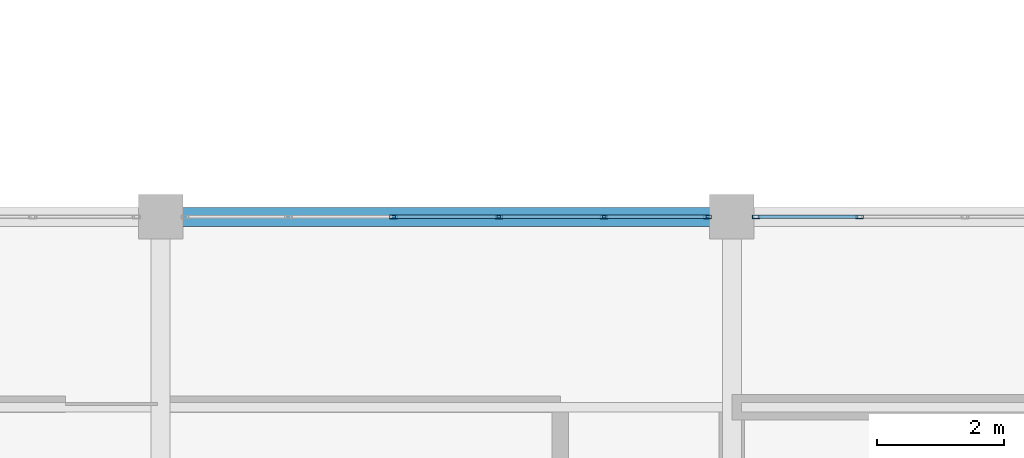
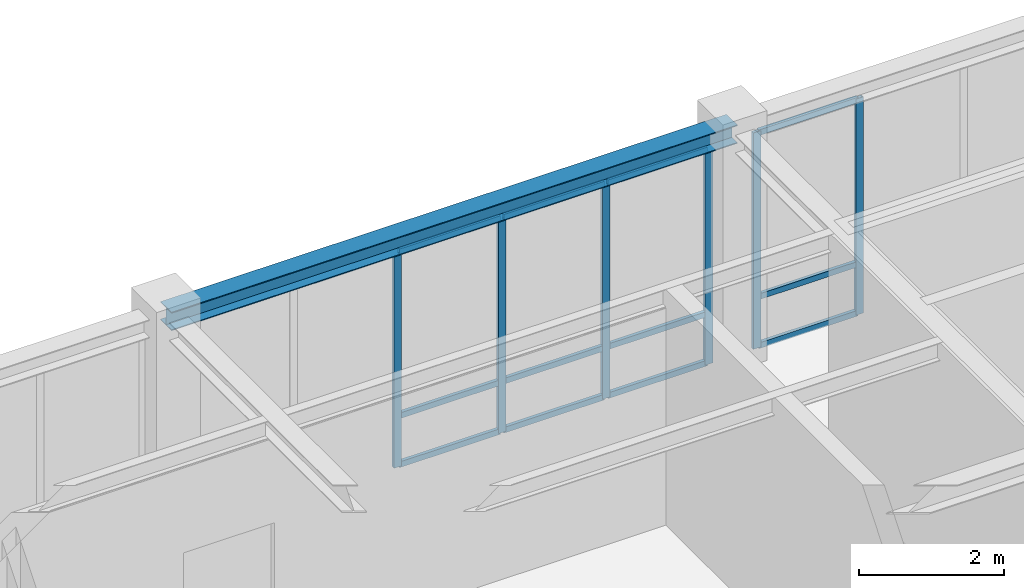
# One storey, part 55 of 108: 18 members, 1 beam, 2 elements without a shape of their own.
"""IFC4 building model written with IfcOpenShell, lengths in metres."""

import ifcopenshell
import ifcopenshell.guid

model = None  # the IFC model being written
_history = None  # IfcOwnerHistory: only IFC2X3 demands one
_inside = {}  # id of a spatial element -> (the spatial element, [elements in it])
_under = {}  # id of a project, library or spatial element -> (it, [spatial elements below it])
_declared = {}  # id of a project -> (the project, [libraries it declares])
_typed = {}  # id of a type object -> (the type object, [elements of that type])
_made_of = {}  # id of a material, layer set ... -> (it, [elements and type objects made of it])


def new_model(schema):
    """Start an empty IFC model of exactly this schema.

    Asked for "IFC4X3", IfcOpenShell would pick the latest addendum, in which some entities
    have other attributes; the version numbers below select the first issue.
    IFC2X3 requires an IfcOwnerHistory on every rooted entity: one is made here for all.
    """
    global model, _history
    if schema == "IFC4X3":
        model = ifcopenshell.file(schema_version=(4, 3, 0, 0))
    else:
        model = ifcopenshell.file(schema=schema)
    _inside.clear()
    _under.clear()
    _declared.clear()
    _typed.clear()
    _made_of.clear()
    _history = None
    if model.schema == "IFC2X3":
        org = make("IfcOrganization", Name="unknown")
        user = make(
            "IfcPersonAndOrganization",
            ThePerson=make("IfcPerson", FamilyName="unknown"),
            TheOrganization=org,
        )
        app = make(
            "IfcApplication",
            ApplicationDeveloper=org,
            Version="unknown",
            ApplicationFullName="unknown",
            ApplicationIdentifier="unknown",
        )
        _history = make(
            "IfcOwnerHistory",
            OwningUser=user,
            OwningApplication=app,
            ChangeAction="ADDED",
            CreationDate=0,
        )
    return model


def make(cls, **values):
    """One entity of the class cls with the attributes given. An attribute that is None is left unset."""
    return model.create_entity(
        cls, **{name: value for name, value in values.items() if value is not None}
    )


def rooted(cls, **values):
    """An entity with a GlobalId (a new one), such as an element, a storey or a relation."""
    return make(cls, GlobalId=ifcopenshell.guid.new(), OwnerHistory=_history, **values)


def si_unit(unit_type, name, prefix=None):
    """IfcSIUnit, for example si_unit("LENGTHUNIT", "METRE", prefix="MILLI")."""
    return make("IfcSIUnit", UnitType=unit_type, Prefix=prefix, Name=name)


def assignment(units):
    """IfcUnitAssignment: the units of a project."""
    return None if units is None else make("IfcUnitAssignment", Units=units)


def point(xyz):
    """IfcCartesianPoint."""
    return None if xyz is None else make("IfcCartesianPoint", Coordinates=xyz)


def direction(xyz):
    """IfcDirection."""
    return None if xyz is None else make("IfcDirection", DirectionRatios=xyz)


def frame(location, z_axis=None, x_axis=None):
    """IfcAxis2Placement3D, a coordinate frame: its origin and axes. An axis left out is left unset."""
    return make(
        "IfcAxis2Placement3D",
        Location=point(location),
        Axis=direction(z_axis),
        RefDirection=direction(x_axis),
    )


def frame_2d(location, x_axis=None):
    """IfcAxis2Placement2D, a coordinate frame in the plane: its origin and x axis."""
    return make(
        "IfcAxis2Placement2D", Location=point(location), RefDirection=direction(x_axis)
    )


def origin():
    """The frame at (0, 0, 0) with its axes left unset."""
    return frame((0.0, 0.0, 0.0))


def origin_2d():
    """The frame at (0, 0) in the plane with its x axis left unset."""
    return frame_2d((0.0, 0.0))


def place(relative_to, where):
    """IfcLocalPlacement: puts the frame where relative to a parent placement (None: the world)."""
    return make(
        "IfcLocalPlacement", PlacementRelTo=relative_to, RelativePlacement=where
    )


def context(
    kind, dimensions, precision=None, world=None, true_north=None, identifier=None
):
    """IfcGeometricRepresentationContext, for example the 3D "Model" context."""
    return make(
        "IfcGeometricRepresentationContext",
        ContextIdentifier=identifier,
        ContextType=kind,
        CoordinateSpaceDimension=dimensions,
        Precision=precision,
        WorldCoordinateSystem=world,
        TrueNorth=true_north,
    )


def subcontext(parent, identifier, kind, view, scale=None):
    """IfcGeometricRepresentationSubContext, for example "Body" below "Model"."""
    return make(
        "IfcGeometricRepresentationSubContext",
        ContextIdentifier=identifier,
        ContextType=kind,
        ParentContext=parent,
        TargetScale=scale,
        TargetView=view,
    )


def project(units=None, contexts=None):
    """IfcProject with its units and contexts."""
    return rooted(
        "IfcProject",
        Name="project",
        RepresentationContexts=contexts,
        UnitsInContext=assignment(units),
    )


def spatial(cls, under=None, at=None, **own):
    """A site, building, storey or space (cls), placed at a placement, below another one or the project."""
    s = rooted(cls, ObjectPlacement=at, **own)
    if under is not None:
        _under.setdefault(under.id(), (under, []))[1].append(s)
    return s


def profile(cls, at=None, kind="AREA", **sizes):
    """A parametric profile (cls). Its sizes go by their IFC names, for example OverallWidth=200.0."""
    return make(cls, ProfileType=kind, Position=at, **sizes)


def hollow_rectangle(**sizes):
    """IfcRectangleHollowProfileDef."""
    return profile("IfcRectangleHollowProfileDef", **sizes)


def i_section(**sizes):
    """IfcIShapeProfileDef."""
    return profile("IfcIShapeProfileDef", **sizes)


def extrude(swept, where, along, depth):
    """IfcExtrudedAreaSolid: the profile swept, set in the frame where, extruded along a direction by depth."""
    return make(
        "IfcExtrudedAreaSolid",
        SweptArea=swept,
        Position=where,
        ExtrudedDirection=direction(along),
        Depth=depth,
    )


def shape(context_of_items, identifier, shape_type, items):
    """IfcShapeRepresentation: the items that make up one representation, for example the "Body"."""
    return make(
        "IfcShapeRepresentation",
        ContextOfItems=context_of_items,
        RepresentationIdentifier=identifier,
        RepresentationType=shape_type,
        Items=items,
    )


def material(Name=None, Category=None):
    """IfcMaterial."""
    return make("IfcMaterial", Name=Name, Category=Category)


def material_profile(
    of_material, cross_section, Name=None, Category=None, Priority=None
):
    """IfcMaterialProfile: a cross section and its material."""
    return make(
        "IfcMaterialProfile",
        Name=Name,
        Material=of_material,
        Profile=cross_section,
        Priority=Priority,
        Category=Category,
    )


def profile_set(profiles, Name=None, composite=None):
    """IfcMaterialProfileSet."""
    return make(
        "IfcMaterialProfileSet",
        Name=Name,
        MaterialProfiles=profiles,
        CompositeProfile=composite,
    )


def made_of(thing, what):
    """Note that an element or type object is made of a material, layer set ...; save() writes the relation."""
    if what is not None:
        _made_of.setdefault(what.id(), (what, []))[1].append(thing)
    return thing


def type_object(cls, material=None, **own):
    """A type object (cls), such as IfcWallType, which elements share."""
    return made_of(rooted(cls, **own), material)


def element(
    cls,
    number,
    at=None,
    inside=None,
    cuts=None,
    type_object=None,
    material=None,
    context=None,
    identifier="Body",
    shape_type=None,
    held_by="IfcProductDefinitionShape",
    body=None,
    shapes=None,
    **own,
):
    """One element of the class cls, such as IfcWall. Its Tag is "e" and its number.

    at: its placement. inside: the storey or other place that contains it. cuts: it is an
    opening in that element (IfcRelVoidsElement). A single representation is given by context,
    identifier, shape_type and body (its items); several are given by shapes. held_by: the class
    of the entity that holds the representations. save() writes the other relations.
    """
    e = rooted(cls, Tag="e%d" % number, ObjectPlacement=at, **own)
    if body is not None:
        shapes = [shape(context, identifier, shape_type, body)]
    if shapes is not None:
        e.Representation = make(held_by, Representations=shapes)
    if inside is not None:
        _inside.setdefault(inside.id(), (inside, []))[1].append(e)
    if cuts is not None:
        rooted(
            "IfcRelVoidsElement", RelatingBuildingElement=cuts, RelatedOpeningElement=e
        )
    if type_object is not None:
        _typed.setdefault(type_object.id(), (type_object, []))[1].append(e)
    return made_of(e, material)


def aggregate(whole, parts):
    """IfcRelAggregates: a whole, such as a stair, and the parts it consists of."""
    return rooted("IfcRelAggregates", RelatingObject=whole, RelatedObjects=parts)


def save(model, path):
    """Write the relations noted so far, then the file.

    IfcRelAggregates (storeys below a building ...), IfcRelContainedInSpatialStructure (elements
    in a storey), IfcRelDefinesByType, IfcRelAssociatesMaterial and IfcRelDeclares: one each for
    every whole, place, type object, material and project.
    """
    for whole, parts in _under.values():
        aggregate(whole, parts)
    for where, things in _inside.values():
        rooted(
            "IfcRelContainedInSpatialStructure",
            RelatedElements=things,
            RelatingStructure=where,
        )
    for kind, things in _typed.values():
        rooted("IfcRelDefinesByType", RelatedObjects=things, RelatingType=kind)
    for what, things in _made_of.values():
        rooted("IfcRelAssociatesMaterial", RelatedObjects=things, RelatingMaterial=what)
    for by, libraries in _declared.values():
        rooted("IfcRelDeclares", RelatingContext=by, RelatedDefinitions=libraries)
    model.write(path)


model = new_model("IFC4")

# Units and contexts
model_context = context("Model", 3, precision=1e-05, world=origin(), true_north=direction((0.0, 1.0)))
body_context = subcontext(model_context, "Body", "Model", "MODEL_VIEW")
ifc_project = project(units=[si_unit("LENGTHUNIT", "METRE"), si_unit("AREAUNIT", "SQUARE_METRE"), si_unit("VOLUMEUNIT", "CUBIC_METRE"), si_unit("PLANEANGLEUNIT", "RADIAN"), si_unit("MASSUNIT", "GRAM", prefix="KILO")], contexts=[model_context])

# Site, building, storey
site_placement = place(None, origin())
site = spatial("IfcSite", under=ifc_project, at=site_placement, CompositionType="ELEMENT")
building_placement = place(site_placement, origin())
building = spatial("IfcBuilding", under=site, at=building_placement, Name="Lykobir Media Centre", CompositionType="ELEMENT")
storey_placement = place(building_placement, frame((0.0, 0.0, 15.0)))
storey = spatial("IfcBuildingStorey", under=building, at=storey_placement, Name="L03", CompositionType="ELEMENT", Elevation=15.0)

# Curtain wall, members
ifc_material_1 = material(Name="Anodized Aluminium AW-6060", Category="aluminium")
curtain_wall_type = type_object("IfcCurtainWallType", Name="CW-COURT-B", PredefinedType="NOTDEFINED", material=ifc_material_1)
curtain_wall_1_placement = place(storey_placement, origin())
curtain_wall_1 = element("IfcCurtainWall", 1, at=curtain_wall_1_placement, inside=storey, type_object=curtain_wall_type, Name="Curtain wall CW2-L03-0138", PredefinedType="NOTDEFINED")
ifc_material_profile_1 = material_profile(ifc_material_1, hollow_rectangle(XDim=0.054931640625, YDim=0.1201171875, WallThickness=0.003173828125, at=origin_2d()), Name="ALU MULLION 55x120")
ifc_profile_set_1 = profile_set([ifc_material_profile_1], Name="Anodized Aluminium AW-6060")
member_type_1 = type_object("IfcMemberType", Name="CWM-120", PredefinedType="MULLION", material=ifc_profile_set_1)
member_1_placement = place(storey_placement, frame((111.6708984375, 18.0, 0.0), z_axis=(0.0, 0.0, 1.0), x_axis=(0.0, 1.0, 0.0)))
member_1 = element("IfcMember", 2, at=member_1_placement, type_object=member_type_1, Name="CW2-L03-0138 mullion 3", PredefinedType="MULLION", context=body_context, shape_type="SweptSolid", body=[
    extrude(hollow_rectangle(XDim=0.054931640625, YDim=0.1201171875, WallThickness=0.003173828125, at=origin_2d()), origin(), (0.0, 0.0, 1.0), 3.635009765625),
])
member_2_placement = place(storey_placement, frame((113.3291015625, 18.0, 0.0), z_axis=(0.0, 0.0, 1.0), x_axis=(0.0, 1.0, 0.0)))
member_2 = element("IfcMember", 3, at=member_2_placement, type_object=member_type_1, Name="CW2-L03-0138 mullion 4", PredefinedType="MULLION", context=body_context, shape_type="SweptSolid", body=[
    extrude(hollow_rectangle(XDim=0.054931640625, YDim=0.1201171875, WallThickness=0.003173828125, at=origin_2d()), origin(), (0.0, 0.0, 1.0), 3.635009765625),
])
member_3_placement = place(storey_placement, frame((114.987060546875, 18.0, 0.0), z_axis=(0.0, 0.0, 1.0), x_axis=(0.0, 1.0, 0.0)))
member_3 = element("IfcMember", 4, at=member_3_placement, type_object=member_type_1, Name="CW2-L03-0138 mullion 5", PredefinedType="MULLION", context=body_context, shape_type="SweptSolid", body=[
    extrude(hollow_rectangle(XDim=0.054931640625, YDim=0.1201171875, WallThickness=0.003173828125, at=origin_2d()), origin(), (0.0, 0.0, 1.0), 3.635009765625),
])
member_4_placement = place(storey_placement, frame((116.617431640625, 18.0, 0.0), z_axis=(0.0, 0.0, 1.0), x_axis=(0.0, 1.0, 0.0)))
member_4 = element("IfcMember", 5, at=member_4_placement, type_object=member_type_1, Name="CW2-L03-0138 mullion 6", PredefinedType="MULLION", context=body_context, shape_type="SweptSolid", body=[
    extrude(hollow_rectangle(XDim=0.054931640625, YDim=0.1201171875, WallThickness=0.003173828125, at=origin_2d()), origin(), (0.0, 0.0, 1.0), 3.635009765625),
])

curtain_wall_2_placement = place(storey_placement, origin())
curtain_wall_2 = element("IfcCurtainWall", 6, at=curtain_wall_2_placement, inside=storey, type_object=curtain_wall_type, Name="Curtain wall CW2-L03-0139", PredefinedType="NOTDEFINED")
member_5_placement = place(storey_placement, frame((117.382568359375, 18.0, 0.0), z_axis=(0.0, 0.0, 1.0), x_axis=(0.0, 1.0, 0.0)))
member_5 = element("IfcMember", 7, at=member_5_placement, type_object=member_type_1, Name="CW2-L03-0139 mullion 1", PredefinedType="MULLION", context=body_context, shape_type="SweptSolid", body=[
    extrude(hollow_rectangle(XDim=0.054931640625, YDim=0.1201171875, WallThickness=0.003173828125, at=origin_2d()), origin(), (0.0, 0.0, 1.0), 3.635009765625),
])
member_6_placement = place(storey_placement, frame((119.012939453125, 18.0, 0.0), z_axis=(0.0, 0.0, 1.0), x_axis=(0.0, 1.0, 0.0)))
member_6 = element("IfcMember", 8, at=member_6_placement, type_object=member_type_1, Name="CW2-L03-0139 mullion 2", PredefinedType="MULLION", context=body_context, shape_type="SweptSolid", body=[
    extrude(hollow_rectangle(XDim=0.054931640625, YDim=0.1201171875, WallThickness=0.003173828125, at=origin_2d()), origin(), (0.0, 0.0, 1.0), 3.635009765625),
])

# Member
ifc_material_profile_2 = material_profile(ifc_material_1, hollow_rectangle(XDim=0.054931640625, YDim=0.094970703125, WallThickness=0.0029296875, at=origin_2d()), Name="ALU TRANSOM 55x95")
ifc_profile_set_2 = profile_set([ifc_material_profile_2], Name="Anodized Aluminium AW-6060")
member_type_2 = type_object("IfcMemberType", Name="CWT-095", PredefinedType="USERDEFINED", material=ifc_profile_set_2)
member_7_placement = place(storey_placement, frame((111.698486328125, 18.0, 0.027587890625), z_axis=(1.0, 0.0, 0.0), x_axis=(0.0, 1.0, 0.0)))
member_7 = element("IfcMember", 9, at=member_7_placement, type_object=member_type_2, Name="CW2-L03-0138 transom 3.1", ObjectType="TRANSOM", PredefinedType="USERDEFINED", context=body_context, shape_type="SweptSolid", body=[
    extrude(hollow_rectangle(XDim=0.054931640625, YDim=0.094970703125, WallThickness=0.0029296875, at=origin_2d()), origin(), (0.0, 0.0, 1.0), 1.60302734375),
])

member_8_placement = place(storey_placement, frame((111.698486328125, 18.0, 0.85009765625), z_axis=(1.0, 0.0, 0.0), x_axis=(0.0, 1.0, 0.0)))
member_8 = element("IfcMember", 10, at=member_8_placement, type_object=member_type_2, Name="CW2-L03-0138 transom 3.2", ObjectType="TRANSOM", PredefinedType="USERDEFINED", context=body_context, shape_type="SweptSolid", body=[
    extrude(hollow_rectangle(XDim=0.054931640625, YDim=0.094970703125, WallThickness=0.0029296875, at=origin_2d()), origin(), (0.0, 0.0, 1.0), 1.60302734375),
])

member_9_placement = place(storey_placement, frame((111.698486328125, 18.0, 3.607421875), z_axis=(1.0, 0.0, 0.0), x_axis=(0.0, 1.0, 0.0)))
member_9 = element("IfcMember", 11, at=member_9_placement, type_object=member_type_2, Name="CW2-L03-0138 transom 3.3", ObjectType="TRANSOM", PredefinedType="USERDEFINED", context=body_context, shape_type="SweptSolid", body=[
    extrude(hollow_rectangle(XDim=0.054931640625, YDim=0.094970703125, WallThickness=0.0029296875, at=origin_2d()), origin(), (0.0, 0.0, 1.0), 1.60302734375),
])

member_10_placement = place(storey_placement, frame((113.3564453125, 18.0, 0.027587890625), z_axis=(1.0, 0.0, 0.0), x_axis=(0.0, 1.0, 0.0)))
member_10 = element("IfcMember", 12, at=member_10_placement, type_object=member_type_2, Name="CW2-L03-0138 transom 4.1", ObjectType="TRANSOM", PredefinedType="USERDEFINED", context=body_context, shape_type="SweptSolid", body=[
    extrude(hollow_rectangle(XDim=0.054931640625, YDim=0.094970703125, WallThickness=0.0029296875, at=origin_2d()), origin(), (0.0, 0.0, 1.0), 1.60302734375),
])

member_11_placement = place(storey_placement, frame((113.3564453125, 18.0, 0.85009765625), z_axis=(1.0, 0.0, 0.0), x_axis=(0.0, 1.0, 0.0)))
member_11 = element("IfcMember", 13, at=member_11_placement, type_object=member_type_2, Name="CW2-L03-0138 transom 4.2", ObjectType="TRANSOM", PredefinedType="USERDEFINED", context=body_context, shape_type="SweptSolid", body=[
    extrude(hollow_rectangle(XDim=0.054931640625, YDim=0.094970703125, WallThickness=0.0029296875, at=origin_2d()), origin(), (0.0, 0.0, 1.0), 1.60302734375),
])

member_12_placement = place(storey_placement, frame((113.3564453125, 18.0, 3.607421875), z_axis=(1.0, 0.0, 0.0), x_axis=(0.0, 1.0, 0.0)))
member_12 = element("IfcMember", 14, at=member_12_placement, type_object=member_type_2, Name="CW2-L03-0138 transom 4.3", ObjectType="TRANSOM", PredefinedType="USERDEFINED", context=body_context, shape_type="SweptSolid", body=[
    extrude(hollow_rectangle(XDim=0.054931640625, YDim=0.094970703125, WallThickness=0.0029296875, at=origin_2d()), origin(), (0.0, 0.0, 1.0), 1.60302734375),
])

member_13_placement = place(storey_placement, frame((115.014404296875, 18.0, 0.027587890625), z_axis=(1.0, 0.0, 0.0), x_axis=(0.0, 1.0, 0.0)))
member_13 = element("IfcMember", 15, at=member_13_placement, type_object=member_type_2, Name="CW2-L03-0138 transom 5.1", ObjectType="TRANSOM", PredefinedType="USERDEFINED", context=body_context, shape_type="SweptSolid", body=[
    extrude(hollow_rectangle(XDim=0.054931640625, YDim=0.094970703125, WallThickness=0.0029296875, at=origin_2d()), origin(), (0.0, 0.0, 1.0), 1.57568359375),
])

member_14_placement = place(storey_placement, frame((115.014404296875, 18.0, 0.85009765625), z_axis=(1.0, 0.0, 0.0), x_axis=(0.0, 1.0, 0.0)))
member_14 = element("IfcMember", 16, at=member_14_placement, type_object=member_type_2, Name="CW2-L03-0138 transom 5.2", ObjectType="TRANSOM", PredefinedType="USERDEFINED", context=body_context, shape_type="SweptSolid", body=[
    extrude(hollow_rectangle(XDim=0.054931640625, YDim=0.094970703125, WallThickness=0.0029296875, at=origin_2d()), origin(), (0.0, 0.0, 1.0), 1.57568359375),
])

member_15_placement = place(storey_placement, frame((115.014404296875, 18.0, 3.607421875), z_axis=(1.0, 0.0, 0.0), x_axis=(0.0, 1.0, 0.0)))
member_15 = element("IfcMember", 17, at=member_15_placement, type_object=member_type_2, Name="CW2-L03-0138 transom 5.3", ObjectType="TRANSOM", PredefinedType="USERDEFINED", context=body_context, shape_type="SweptSolid", body=[
    extrude(hollow_rectangle(XDim=0.054931640625, YDim=0.094970703125, WallThickness=0.0029296875, at=origin_2d()), origin(), (0.0, 0.0, 1.0), 1.57568359375),
])

aggregate(curtain_wall_1, [member_1, member_2, member_3, member_4, member_7, member_8, member_9, member_10, member_11, member_12, member_13, member_14, member_15])

member_16_placement = place(storey_placement, frame((117.409912109375, 18.0, 0.027587890625), z_axis=(1.0, 0.0, 0.0), x_axis=(0.0, 1.0, 0.0)))
member_16 = element("IfcMember", 18, at=member_16_placement, type_object=member_type_2, Name="CW2-L03-0139 transom 1.1", ObjectType="TRANSOM", PredefinedType="USERDEFINED", context=body_context, shape_type="SweptSolid", body=[
    extrude(hollow_rectangle(XDim=0.054931640625, YDim=0.094970703125, WallThickness=0.0029296875, at=origin_2d()), origin(), (0.0, 0.0, 1.0), 1.57568359375),
])

member_17_placement = place(storey_placement, frame((117.409912109375, 18.0, 0.85009765625), z_axis=(1.0, 0.0, 0.0), x_axis=(0.0, 1.0, 0.0)))
member_17 = element("IfcMember", 19, at=member_17_placement, type_object=member_type_2, Name="CW2-L03-0139 transom 1.2", ObjectType="TRANSOM", PredefinedType="USERDEFINED", context=body_context, shape_type="SweptSolid", body=[
    extrude(hollow_rectangle(XDim=0.054931640625, YDim=0.094970703125, WallThickness=0.0029296875, at=origin_2d()), origin(), (0.0, 0.0, 1.0), 1.57568359375),
])

member_18_placement = place(storey_placement, frame((117.409912109375, 18.0, 3.607421875), z_axis=(1.0, 0.0, 0.0), x_axis=(0.0, 1.0, 0.0)))
member_18 = element("IfcMember", 20, at=member_18_placement, type_object=member_type_2, Name="CW2-L03-0139 transom 1.3", ObjectType="TRANSOM", PredefinedType="USERDEFINED", context=body_context, shape_type="SweptSolid", body=[
    extrude(hollow_rectangle(XDim=0.054931640625, YDim=0.094970703125, WallThickness=0.0029296875, at=origin_2d()), origin(), (0.0, 0.0, 1.0), 1.57568359375),
])

aggregate(curtain_wall_2, [member_5, member_6, member_16, member_17, member_18])

# Beam
ifc_material_2 = material(Name="Steel S355", Category="steel")
ifc_material_profile_3 = material_profile(ifc_material_2, i_section(OverallWidth=0.300048828125, OverallDepth=0.31005859375, WebThickness=0.009033203125, FlangeThickness=0.015380859375, at=origin_2d()), Name="HEA 320")
ifc_profile_set_3 = profile_set([ifc_material_profile_3], Name="Steel S355")
beam_type = type_object("IfcBeamType", Name="SP-HEA320", PredefinedType="SPANDREL", material=ifc_profile_set_3)
beam_placement = place(storey_placement, frame((108.0, 18.0, 3.804931640625), z_axis=(1.0, 0.0, 0.0), x_axis=(0.0, 1.0, 0.0)))
element("IfcBeam", 21, at=beam_placement, inside=storey, type_object=beam_type, Name="Beam BM-L03-1080-0180-1170-0180-1880", PredefinedType="SPANDREL", context=body_context, shape_type="SweptSolid", body=[
    extrude(i_section(OverallWidth=0.300048828125, OverallDepth=0.31005859375, WebThickness=0.009033203125, FlangeThickness=0.015380859375, at=origin_2d()), origin(), (0.0, 0.0, 1.0), 9.0),
])

save(model, "model.ifc")
